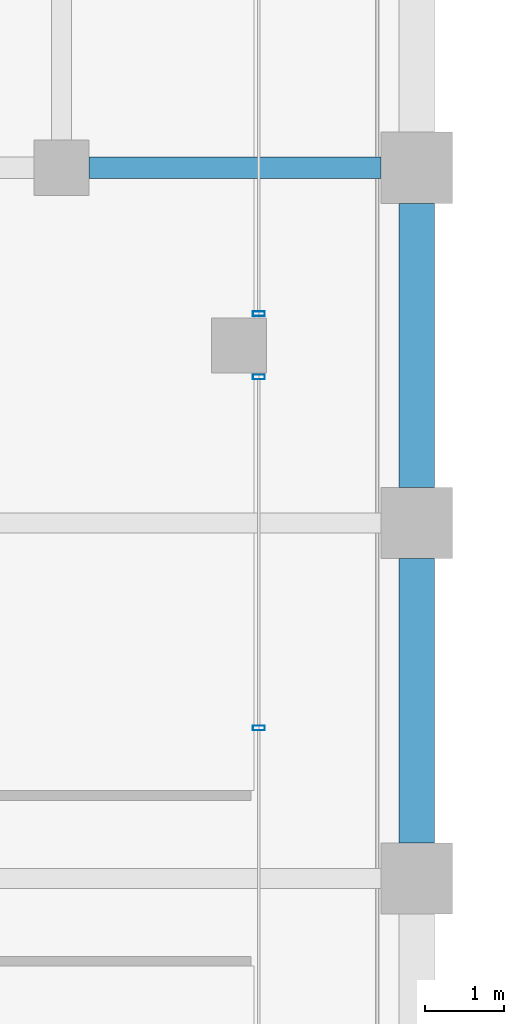
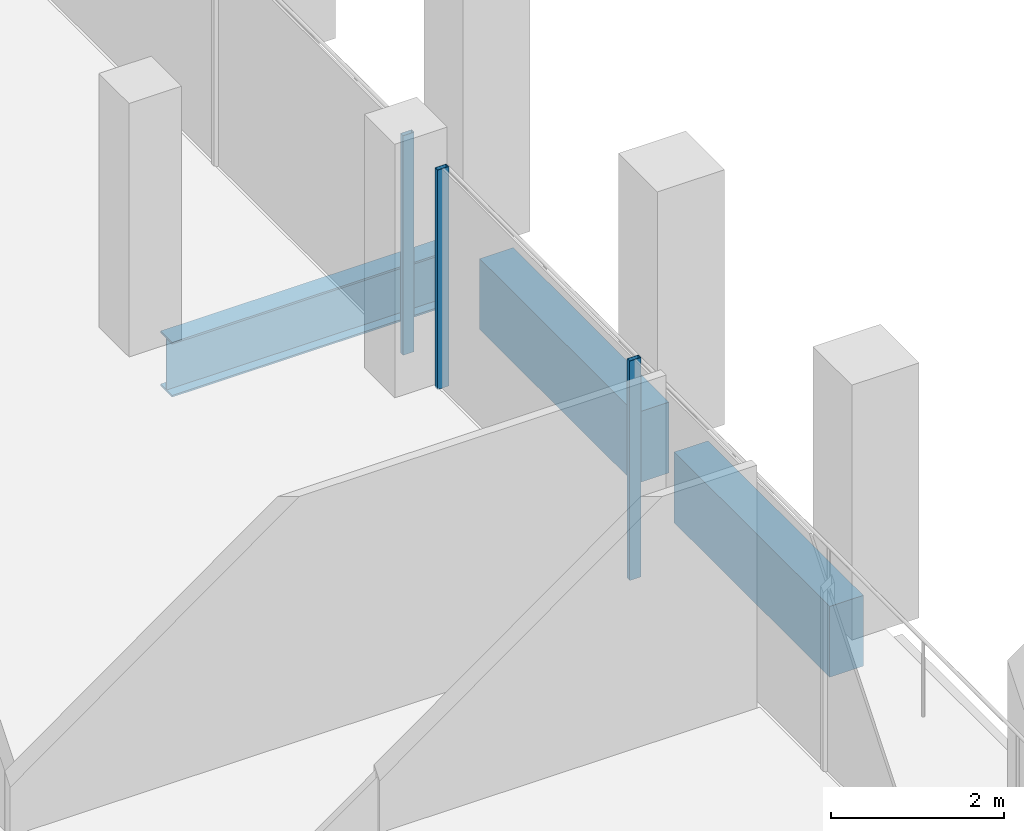
# One storey, part 19 of 40: 3 beams, 3 members, 2 elements without a shape of their own.
"""IFC4 building model written with IfcOpenShell, lengths in metres."""

import ifcopenshell
import ifcopenshell.guid

model = None  # the IFC model being written
_history = None  # IfcOwnerHistory: only IFC2X3 demands one
_inside = {}  # id of a spatial element -> (the spatial element, [elements in it])
_under = {}  # id of a project, library or spatial element -> (it, [spatial elements below it])
_declared = {}  # id of a project -> (the project, [libraries it declares])
_typed = {}  # id of a type object -> (the type object, [elements of that type])
_made_of = {}  # id of a material, layer set ... -> (it, [elements and type objects made of it])


def new_model(schema):
    """Start an empty IFC model of exactly this schema.

    Asked for "IFC4X3", IfcOpenShell would pick the latest addendum, in which some entities
    have other attributes; the version numbers below select the first issue.
    IFC2X3 requires an IfcOwnerHistory on every rooted entity: one is made here for all.
    """
    global model, _history
    if schema == "IFC4X3":
        model = ifcopenshell.file(schema_version=(4, 3, 0, 0))
    else:
        model = ifcopenshell.file(schema=schema)
    _inside.clear()
    _under.clear()
    _declared.clear()
    _typed.clear()
    _made_of.clear()
    _history = None
    if model.schema == "IFC2X3":
        org = make("IfcOrganization", Name="unknown")
        user = make(
            "IfcPersonAndOrganization",
            ThePerson=make("IfcPerson", FamilyName="unknown"),
            TheOrganization=org,
        )
        app = make(
            "IfcApplication",
            ApplicationDeveloper=org,
            Version="unknown",
            ApplicationFullName="unknown",
            ApplicationIdentifier="unknown",
        )
        _history = make(
            "IfcOwnerHistory",
            OwningUser=user,
            OwningApplication=app,
            ChangeAction="ADDED",
            CreationDate=0,
        )
    return model


def make(cls, **values):
    """One entity of the class cls with the attributes given. An attribute that is None is left unset."""
    return model.create_entity(
        cls, **{name: value for name, value in values.items() if value is not None}
    )


def rooted(cls, **values):
    """An entity with a GlobalId (a new one), such as an element, a storey or a relation."""
    return make(cls, GlobalId=ifcopenshell.guid.new(), OwnerHistory=_history, **values)


def si_unit(unit_type, name, prefix=None):
    """IfcSIUnit, for example si_unit("LENGTHUNIT", "METRE", prefix="MILLI")."""
    return make("IfcSIUnit", UnitType=unit_type, Prefix=prefix, Name=name)


def assignment(units):
    """IfcUnitAssignment: the units of a project."""
    return None if units is None else make("IfcUnitAssignment", Units=units)


def point(xyz):
    """IfcCartesianPoint."""
    return None if xyz is None else make("IfcCartesianPoint", Coordinates=xyz)


def direction(xyz):
    """IfcDirection."""
    return None if xyz is None else make("IfcDirection", DirectionRatios=xyz)


def frame(location, z_axis=None, x_axis=None):
    """IfcAxis2Placement3D, a coordinate frame: its origin and axes. An axis left out is left unset."""
    return make(
        "IfcAxis2Placement3D",
        Location=point(location),
        Axis=direction(z_axis),
        RefDirection=direction(x_axis),
    )


def frame_2d(location, x_axis=None):
    """IfcAxis2Placement2D, a coordinate frame in the plane: its origin and x axis."""
    return make(
        "IfcAxis2Placement2D", Location=point(location), RefDirection=direction(x_axis)
    )


def origin():
    """The frame at (0, 0, 0) with its axes left unset."""
    return frame((0.0, 0.0, 0.0))


def origin_2d():
    """The frame at (0, 0) in the plane with its x axis left unset."""
    return frame_2d((0.0, 0.0))


def place(relative_to, where):
    """IfcLocalPlacement: puts the frame where relative to a parent placement (None: the world)."""
    return make(
        "IfcLocalPlacement", PlacementRelTo=relative_to, RelativePlacement=where
    )


def context(
    kind, dimensions, precision=None, world=None, true_north=None, identifier=None
):
    """IfcGeometricRepresentationContext, for example the 3D "Model" context."""
    return make(
        "IfcGeometricRepresentationContext",
        ContextIdentifier=identifier,
        ContextType=kind,
        CoordinateSpaceDimension=dimensions,
        Precision=precision,
        WorldCoordinateSystem=world,
        TrueNorth=true_north,
    )


def subcontext(parent, identifier, kind, view, scale=None):
    """IfcGeometricRepresentationSubContext, for example "Body" below "Model"."""
    return make(
        "IfcGeometricRepresentationSubContext",
        ContextIdentifier=identifier,
        ContextType=kind,
        ParentContext=parent,
        TargetScale=scale,
        TargetView=view,
    )


def project(units=None, contexts=None):
    """IfcProject with its units and contexts."""
    return rooted(
        "IfcProject",
        Name="project",
        RepresentationContexts=contexts,
        UnitsInContext=assignment(units),
    )


def spatial(cls, under=None, at=None, **own):
    """A site, building, storey or space (cls), placed at a placement, below another one or the project."""
    s = rooted(cls, ObjectPlacement=at, **own)
    if under is not None:
        _under.setdefault(under.id(), (under, []))[1].append(s)
    return s


def profile(cls, at=None, kind="AREA", **sizes):
    """A parametric profile (cls). Its sizes go by their IFC names, for example OverallWidth=200.0."""
    return make(cls, ProfileType=kind, Position=at, **sizes)


def rectangle(**sizes):
    """IfcRectangleProfileDef."""
    return profile("IfcRectangleProfileDef", **sizes)


def hollow_rectangle(**sizes):
    """IfcRectangleHollowProfileDef."""
    return profile("IfcRectangleHollowProfileDef", **sizes)


def i_section(**sizes):
    """IfcIShapeProfileDef."""
    return profile("IfcIShapeProfileDef", **sizes)


def extrude(swept, where, along, depth):
    """IfcExtrudedAreaSolid: the profile swept, set in the frame where, extruded along a direction by depth."""
    return make(
        "IfcExtrudedAreaSolid",
        SweptArea=swept,
        Position=where,
        ExtrudedDirection=direction(along),
        Depth=depth,
    )


def shape(context_of_items, identifier, shape_type, items):
    """IfcShapeRepresentation: the items that make up one representation, for example the "Body"."""
    return make(
        "IfcShapeRepresentation",
        ContextOfItems=context_of_items,
        RepresentationIdentifier=identifier,
        RepresentationType=shape_type,
        Items=items,
    )


def material(Name=None, Category=None):
    """IfcMaterial."""
    return make("IfcMaterial", Name=Name, Category=Category)


def material_profile(
    of_material, cross_section, Name=None, Category=None, Priority=None
):
    """IfcMaterialProfile: a cross section and its material."""
    return make(
        "IfcMaterialProfile",
        Name=Name,
        Material=of_material,
        Profile=cross_section,
        Priority=Priority,
        Category=Category,
    )


def profile_set(profiles, Name=None, composite=None):
    """IfcMaterialProfileSet."""
    return make(
        "IfcMaterialProfileSet",
        Name=Name,
        MaterialProfiles=profiles,
        CompositeProfile=composite,
    )


def made_of(thing, what):
    """Note that an element or type object is made of a material, layer set ...; save() writes the relation."""
    if what is not None:
        _made_of.setdefault(what.id(), (what, []))[1].append(thing)
    return thing


def type_object(cls, material=None, **own):
    """A type object (cls), such as IfcWallType, which elements share."""
    return made_of(rooted(cls, **own), material)


def element(
    cls,
    number,
    at=None,
    inside=None,
    cuts=None,
    type_object=None,
    material=None,
    context=None,
    identifier="Body",
    shape_type=None,
    held_by="IfcProductDefinitionShape",
    body=None,
    shapes=None,
    **own,
):
    """One element of the class cls, such as IfcWall. Its Tag is "e" and its number.

    at: its placement. inside: the storey or other place that contains it. cuts: it is an
    opening in that element (IfcRelVoidsElement). A single representation is given by context,
    identifier, shape_type and body (its items); several are given by shapes. held_by: the class
    of the entity that holds the representations. save() writes the other relations.
    """
    e = rooted(cls, Tag="e%d" % number, ObjectPlacement=at, **own)
    if body is not None:
        shapes = [shape(context, identifier, shape_type, body)]
    if shapes is not None:
        e.Representation = make(held_by, Representations=shapes)
    if inside is not None:
        _inside.setdefault(inside.id(), (inside, []))[1].append(e)
    if cuts is not None:
        rooted(
            "IfcRelVoidsElement", RelatingBuildingElement=cuts, RelatedOpeningElement=e
        )
    if type_object is not None:
        _typed.setdefault(type_object.id(), (type_object, []))[1].append(e)
    return made_of(e, material)


def aggregate(whole, parts):
    """IfcRelAggregates: a whole, such as a stair, and the parts it consists of."""
    return rooted("IfcRelAggregates", RelatingObject=whole, RelatedObjects=parts)


def save(model, path):
    """Write the relations noted so far, then the file.

    IfcRelAggregates (storeys below a building ...), IfcRelContainedInSpatialStructure (elements
    in a storey), IfcRelDefinesByType, IfcRelAssociatesMaterial and IfcRelDeclares: one each for
    every whole, place, type object, material and project.
    """
    for whole, parts in _under.values():
        aggregate(whole, parts)
    for where, things in _inside.values():
        rooted(
            "IfcRelContainedInSpatialStructure",
            RelatedElements=things,
            RelatingStructure=where,
        )
    for kind, things in _typed.values():
        rooted("IfcRelDefinesByType", RelatedObjects=things, RelatingType=kind)
    for what, things in _made_of.values():
        rooted("IfcRelAssociatesMaterial", RelatedObjects=things, RelatingMaterial=what)
    for by, libraries in _declared.values():
        rooted("IfcRelDeclares", RelatingContext=by, RelatedDefinitions=libraries)
    model.write(path)


model = new_model("IFC4")

# Units and contexts
model_context = context("Model", 3, precision=1e-05, world=origin(), true_north=direction((0.0, 1.0)))
body_context = subcontext(model_context, "Body", "Model", "MODEL_VIEW")
ifc_project = project(units=[si_unit("LENGTHUNIT", "METRE"), si_unit("AREAUNIT", "SQUARE_METRE"), si_unit("VOLUMEUNIT", "CUBIC_METRE"), si_unit("PLANEANGLEUNIT", "RADIAN"), si_unit("MASSUNIT", "GRAM", prefix="KILO")], contexts=[model_context])

# Site, building, storey
site_placement = place(None, origin())
site = spatial("IfcSite", under=ifc_project, at=site_placement, CompositionType="ELEMENT")
building_placement = place(site_placement, origin())
building = spatial("IfcBuilding", under=site, at=building_placement, Name="Altepetl Exchange Towers", CompositionType="ELEMENT")
storey_placement = place(building_placement, frame((0.0, 0.0, 183.39990234375)))
storey = spatial("IfcBuildingStorey", under=building, at=storey_placement, Name="L46", CompositionType="ELEMENT", Elevation=183.39990234375)

# Beam
ifc_material_1 = material(Name="Steel S355", Category="steel")
ifc_material_profile_1 = material_profile(ifc_material_1, i_section(OverallWidth=0.26806640625, OverallDepth=0.77392578125, WebThickness=0.015380859375, FlangeThickness=0.025390625, at=origin_2d()), Name="W30X132")
ifc_profile_set_1 = profile_set([ifc_material_profile_1], Name="Steel S355")
beam_type_1 = type_object("IfcBeamType", Name="Girder W30X132", PredefinedType="BEAM", material=ifc_profile_set_1)
beam_placement = place(storey_placement, frame((67.85009765625, 58.5, -0.536865234375), z_axis=(1.0, 0.0, 0.0), x_axis=(0.0, 1.0, 0.0)))
element("IfcBeam", 1, at=beam_placement, inside=storey, type_object=beam_type_1, Name="gd:A:L46:002", PredefinedType="BEAM", context=body_context, shape_type="SweptSolid", body=[
    extrude(i_section(OverallWidth=0.26806640625, OverallDepth=0.77392578125, WebThickness=0.015380859375, FlangeThickness=0.025390625, at=origin_2d()), origin(), (0.0, 0.0, 1.0), 3.699951171875),
])

# Curtain wall, members
ifc_material_2 = material(Name="Aluminium 6063-T6 glazing", Category="aluminium")
curtain_wall_type = type_object("IfcCurtainWallType", Name="Loggia glazing system", PredefinedType="NOTDEFINED", material=ifc_material_2)
curtain_wall_1_placement = place(storey_placement, origin())
curtain_wall_1 = element("IfcCurtainWall", 2, at=curtain_wall_1_placement, inside=storey, type_object=curtain_wall_type, Name="CW1 run", PredefinedType="NOTDEFINED")
ifc_material_3 = material(Name="Aluminium 6063-T6", Category="aluminium")
ifc_material_profile_2 = material_profile(ifc_material_3, hollow_rectangle(XDim=0.06005859375, YDim=0.14990234375, WallThickness=0.0029296875, at=origin_2d()), Name="Mullion 60x150 aluminium")
ifc_profile_set_2 = profile_set([ifc_material_profile_2], Name="Aluminium 6063-T6")
member_type = type_object("IfcMemberType", Name="Mullion 60x150 aluminium", PredefinedType="MULLION", material=ifc_profile_set_2)
member_1_placement = place(storey_placement, frame((70.0, 51.404052734375, 0.0), z_axis=(0.0, 0.0, 1.0), x_axis=(0.0, 1.0, 0.0)))
member_1 = element("IfcMember", 3, at=member_1_placement, type_object=member_type, Name="MU1 mullion", PredefinedType="MULLION", context=body_context, shape_type="SweptSolid", body=[
    extrude(hollow_rectangle(XDim=0.06005859375, YDim=0.14990234375, WallThickness=0.0029296875, at=origin_2d()), origin(), (0.0, 0.0, 1.0), 3.10009765625),
])
member_2_placement = place(storey_placement, frame((70.0, 55.85009765625, 0.0), z_axis=(0.0, 0.0, 1.0), x_axis=(0.0, 1.0, 0.0)))
member_2 = element("IfcMember", 4, at=member_2_placement, type_object=member_type, Name="MU1 mullion", PredefinedType="MULLION", context=body_context, shape_type="SweptSolid", body=[
    extrude(hollow_rectangle(XDim=0.06005859375, YDim=0.14990234375, WallThickness=0.0029296875, at=origin_2d()), origin(), (0.0, 0.0, 1.0), 3.10009765625),
])
aggregate(curtain_wall_1, [member_1, member_2])

# Curtain wall, member
curtain_wall_2_placement = place(storey_placement, origin())
curtain_wall_2 = element("IfcCurtainWall", 5, at=curtain_wall_2_placement, inside=storey, type_object=curtain_wall_type, Name="CW1 run", PredefinedType="NOTDEFINED")
member_3_placement = place(storey_placement, frame((70.0, 56.64990234375, 0.0), z_axis=(0.0, 0.0, 1.0), x_axis=(0.0, 1.0, 0.0)))
member_3 = element("IfcMember", 6, at=member_3_placement, type_object=member_type, Name="MU1 mullion", PredefinedType="MULLION", context=body_context, shape_type="SweptSolid", body=[
    extrude(hollow_rectangle(XDim=0.06005859375, YDim=0.14990234375, WallThickness=0.0029296875, at=origin_2d()), origin(), (0.0, 0.0, 1.0), 3.10009765625),
])
aggregate(curtain_wall_2, [member_3])

# Beams
ifc_material_4 = material(Name="Concrete C50/60 precast with cantera amarilla facing", Category="concrete")
ifc_material_profile_3 = material_profile(ifc_material_4, rectangle(XDim=0.449951171875, YDim=1.0, at=origin_2d()), Name="450 x 1000")
ifc_profile_set_3 = profile_set([ifc_material_profile_3], Name="Concrete C50/60 precast with cantera amarilla facing")
beam_type_2 = type_object("IfcBeamType", Name="Spandrel beam 450x1000 cantera amarilla", PredefinedType="SPANDREL", material=ifc_profile_set_3)
for number, where, z_axis, x_axis, name in (
    (7, (72.0, 49.949951171875, -0.64990234375), (0.0, 1.0, 0.0), (-1.0, 0.0, 0.0), "sp:A:L46:016"),
    (8, (72.0, 54.449951171875, -0.64990234375), (0.0, 1.0, 0.0), (-1.0, 0.0, 0.0), "sp:A:L46:017"),
):
    element("IfcBeam", number, at=place(storey_placement, frame(where, z_axis=z_axis, x_axis=x_axis)), inside=storey, type_object=beam_type_2, Name=name, PredefinedType="SPANDREL", context=body_context, shape_type="SweptSolid", body=[
        extrude(rectangle(XDim=0.449951171875, YDim=1.0, at=origin_2d()), origin(), (0.0, 0.0, 1.0), 3.60009765625),
    ])

save(model, "model.ifc")
